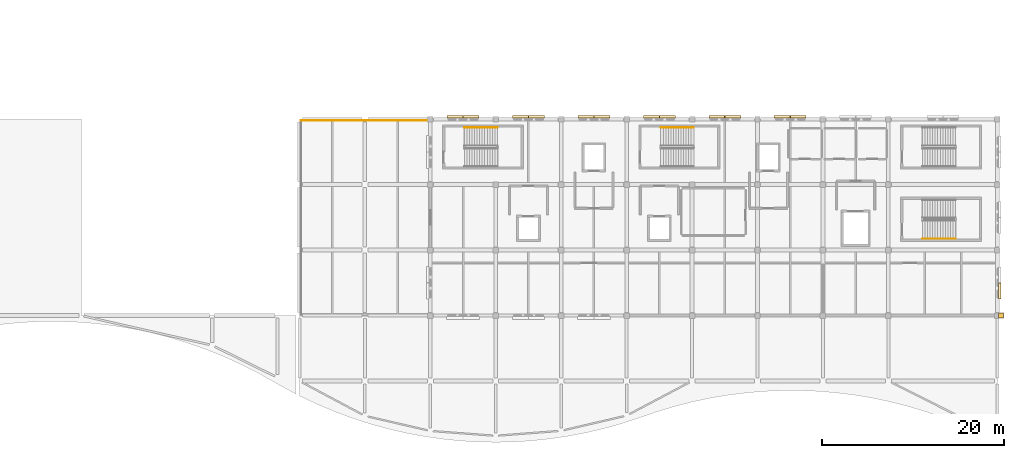
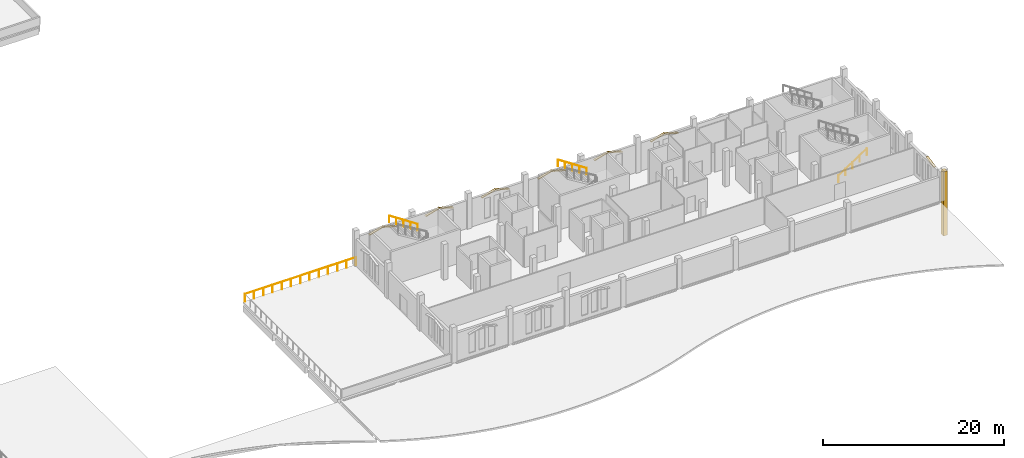
# One storey, part 20 of 23: 14 coverings, 4 railings.
"""IFC4 building model written with IfcOpenShell, lengths in metres."""

import ifcopenshell
import ifcopenshell.guid

model = None  # the IFC model being written
_history = None  # IfcOwnerHistory: only IFC2X3 demands one
_inside = {}  # id of a spatial element -> (the spatial element, [elements in it])
_under = {}  # id of a project, library or spatial element -> (it, [spatial elements below it])
_declared = {}  # id of a project -> (the project, [libraries it declares])
_typed = {}  # id of a type object -> (the type object, [elements of that type])
_made_of = {}  # id of a material, layer set ... -> (it, [elements and type objects made of it])


def new_model(schema):
    """Start an empty IFC model of exactly this schema.

    Asked for "IFC4X3", IfcOpenShell would pick the latest addendum, in which some entities
    have other attributes; the version numbers below select the first issue.
    IFC2X3 requires an IfcOwnerHistory on every rooted entity: one is made here for all.
    """
    global model, _history
    if schema == "IFC4X3":
        model = ifcopenshell.file(schema_version=(4, 3, 0, 0))
    else:
        model = ifcopenshell.file(schema=schema)
    _inside.clear()
    _under.clear()
    _declared.clear()
    _typed.clear()
    _made_of.clear()
    _history = None
    if model.schema == "IFC2X3":
        org = make("IfcOrganization", Name="unknown")
        user = make(
            "IfcPersonAndOrganization",
            ThePerson=make("IfcPerson", FamilyName="unknown"),
            TheOrganization=org,
        )
        app = make(
            "IfcApplication",
            ApplicationDeveloper=org,
            Version="unknown",
            ApplicationFullName="unknown",
            ApplicationIdentifier="unknown",
        )
        _history = make(
            "IfcOwnerHistory",
            OwningUser=user,
            OwningApplication=app,
            ChangeAction="ADDED",
            CreationDate=0,
        )
    return model


def make(cls, **values):
    """One entity of the class cls with the attributes given. An attribute that is None is left unset."""
    return model.create_entity(
        cls, **{name: value for name, value in values.items() if value is not None}
    )


def rooted(cls, **values):
    """An entity with a GlobalId (a new one), such as an element, a storey or a relation."""
    return make(cls, GlobalId=ifcopenshell.guid.new(), OwnerHistory=_history, **values)


def si_unit(unit_type, name, prefix=None):
    """IfcSIUnit, for example si_unit("LENGTHUNIT", "METRE", prefix="MILLI")."""
    return make("IfcSIUnit", UnitType=unit_type, Prefix=prefix, Name=name)


def assignment(units):
    """IfcUnitAssignment: the units of a project."""
    return None if units is None else make("IfcUnitAssignment", Units=units)


def point(xyz):
    """IfcCartesianPoint."""
    return None if xyz is None else make("IfcCartesianPoint", Coordinates=xyz)


def direction(xyz):
    """IfcDirection."""
    return None if xyz is None else make("IfcDirection", DirectionRatios=xyz)


def frame(location, z_axis=None, x_axis=None):
    """IfcAxis2Placement3D, a coordinate frame: its origin and axes. An axis left out is left unset."""
    return make(
        "IfcAxis2Placement3D",
        Location=point(location),
        Axis=direction(z_axis),
        RefDirection=direction(x_axis),
    )


def frame_2d(location, x_axis=None):
    """IfcAxis2Placement2D, a coordinate frame in the plane: its origin and x axis."""
    return make(
        "IfcAxis2Placement2D", Location=point(location), RefDirection=direction(x_axis)
    )


def origin():
    """The frame at (0, 0, 0) with its axes left unset."""
    return frame((0.0, 0.0, 0.0))


def origin_2d():
    """The frame at (0, 0) in the plane with its x axis left unset."""
    return frame_2d((0.0, 0.0))


def place(relative_to, where):
    """IfcLocalPlacement: puts the frame where relative to a parent placement (None: the world)."""
    return make(
        "IfcLocalPlacement", PlacementRelTo=relative_to, RelativePlacement=where
    )


def context(
    kind, dimensions, precision=None, world=None, true_north=None, identifier=None
):
    """IfcGeometricRepresentationContext, for example the 3D "Model" context."""
    return make(
        "IfcGeometricRepresentationContext",
        ContextIdentifier=identifier,
        ContextType=kind,
        CoordinateSpaceDimension=dimensions,
        Precision=precision,
        WorldCoordinateSystem=world,
        TrueNorth=true_north,
    )


def subcontext(parent, identifier, kind, view, scale=None):
    """IfcGeometricRepresentationSubContext, for example "Body" below "Model"."""
    return make(
        "IfcGeometricRepresentationSubContext",
        ContextIdentifier=identifier,
        ContextType=kind,
        ParentContext=parent,
        TargetScale=scale,
        TargetView=view,
    )


def project(units=None, contexts=None):
    """IfcProject with its units and contexts."""
    return rooted(
        "IfcProject",
        Name="project",
        RepresentationContexts=contexts,
        UnitsInContext=assignment(units),
    )


def spatial(cls, under=None, at=None, **own):
    """A site, building, storey or space (cls), placed at a placement, below another one or the project."""
    s = rooted(cls, ObjectPlacement=at, **own)
    if under is not None:
        _under.setdefault(under.id(), (under, []))[1].append(s)
    return s


def polyline(points):
    """IfcPolyline through the points."""
    return make("IfcPolyline", Points=[point(p) for p in points])


def profile(cls, at=None, kind="AREA", **sizes):
    """A parametric profile (cls). Its sizes go by their IFC names, for example OverallWidth=200.0."""
    return make(cls, ProfileType=kind, Position=at, **sizes)


def circle(**sizes):
    """IfcCircleProfileDef."""
    return profile("IfcCircleProfileDef", **sizes)


def outline(outer, holes=None, kind="AREA"):
    """IfcArbitraryClosedProfileDef: a profile drawn as a closed curve; with holes, ...WithVoids."""
    if holes is None:
        return make("IfcArbitraryClosedProfileDef", ProfileType=kind, OuterCurve=outer)
    return make(
        "IfcArbitraryProfileDefWithVoids",
        ProfileType=kind,
        OuterCurve=outer,
        InnerCurves=holes,
    )


def extrude(swept, where, along, depth):
    """IfcExtrudedAreaSolid: the profile swept, set in the frame where, extruded along a direction by depth."""
    return make(
        "IfcExtrudedAreaSolid",
        SweptArea=swept,
        Position=where,
        ExtrudedDirection=direction(along),
        Depth=depth,
    )


def shape(context_of_items, identifier, shape_type, items):
    """IfcShapeRepresentation: the items that make up one representation, for example the "Body"."""
    return make(
        "IfcShapeRepresentation",
        ContextOfItems=context_of_items,
        RepresentationIdentifier=identifier,
        RepresentationType=shape_type,
        Items=items,
    )


def material(Name=None, Category=None):
    """IfcMaterial."""
    return make("IfcMaterial", Name=Name, Category=Category)


def layer(
    of_material, thickness, ventilated=None, Name=None, Category=None, Priority=None
):
    """IfcMaterialLayer: one layer of a wall or slab, of a material (None: an air gap)."""
    return make(
        "IfcMaterialLayer",
        Material=of_material,
        LayerThickness=thickness,
        IsVentilated=ventilated,
        Name=Name,
        Category=Category,
        Priority=Priority,
    )


def layer_set(layers, Name=None):
    """IfcMaterialLayerSet."""
    return make("IfcMaterialLayerSet", MaterialLayers=layers, LayerSetName=Name)


def made_of(thing, what):
    """Note that an element or type object is made of a material, layer set ...; save() writes the relation."""
    if what is not None:
        _made_of.setdefault(what.id(), (what, []))[1].append(thing)
    return thing


def type_object(cls, material=None, **own):
    """A type object (cls), such as IfcWallType, which elements share."""
    return made_of(rooted(cls, **own), material)


def element(
    cls,
    number,
    at=None,
    inside=None,
    cuts=None,
    type_object=None,
    material=None,
    context=None,
    identifier="Body",
    shape_type=None,
    held_by="IfcProductDefinitionShape",
    body=None,
    shapes=None,
    **own,
):
    """One element of the class cls, such as IfcWall. Its Tag is "e" and its number.

    at: its placement. inside: the storey or other place that contains it. cuts: it is an
    opening in that element (IfcRelVoidsElement). A single representation is given by context,
    identifier, shape_type and body (its items); several are given by shapes. held_by: the class
    of the entity that holds the representations. save() writes the other relations.
    """
    e = rooted(cls, Tag="e%d" % number, ObjectPlacement=at, **own)
    if body is not None:
        shapes = [shape(context, identifier, shape_type, body)]
    if shapes is not None:
        e.Representation = make(held_by, Representations=shapes)
    if inside is not None:
        _inside.setdefault(inside.id(), (inside, []))[1].append(e)
    if cuts is not None:
        rooted(
            "IfcRelVoidsElement", RelatingBuildingElement=cuts, RelatedOpeningElement=e
        )
    if type_object is not None:
        _typed.setdefault(type_object.id(), (type_object, []))[1].append(e)
    return made_of(e, material)


def aggregate(whole, parts):
    """IfcRelAggregates: a whole, such as a stair, and the parts it consists of."""
    return rooted("IfcRelAggregates", RelatingObject=whole, RelatedObjects=parts)


def save(model, path):
    """Write the relations noted so far, then the file.

    IfcRelAggregates (storeys below a building ...), IfcRelContainedInSpatialStructure (elements
    in a storey), IfcRelDefinesByType, IfcRelAssociatesMaterial and IfcRelDeclares: one each for
    every whole, place, type object, material and project.
    """
    for whole, parts in _under.values():
        aggregate(whole, parts)
    for where, things in _inside.values():
        rooted(
            "IfcRelContainedInSpatialStructure",
            RelatedElements=things,
            RelatingStructure=where,
        )
    for kind, things in _typed.values():
        rooted("IfcRelDefinesByType", RelatedObjects=things, RelatingType=kind)
    for what, things in _made_of.values():
        rooted("IfcRelAssociatesMaterial", RelatedObjects=things, RelatingMaterial=what)
    for by, libraries in _declared.values():
        rooted("IfcRelDeclares", RelatingContext=by, RelatedDefinitions=libraries)
    model.write(path)


model = new_model("IFC4")

# Units and contexts
model_context = context("Model", 3, precision=1e-05, world=origin(), true_north=direction((0.0, 1.0)))
body_context = subcontext(model_context, "Body", "Model", "MODEL_VIEW")
ifc_project = project(units=[si_unit("LENGTHUNIT", "METRE"), si_unit("AREAUNIT", "SQUARE_METRE"), si_unit("VOLUMEUNIT", "CUBIC_METRE"), si_unit("PLANEANGLEUNIT", "RADIAN"), si_unit("MASSUNIT", "GRAM", prefix="KILO")], contexts=[model_context])

# Site, building, storey
site_placement = place(None, origin())
site = spatial("IfcSite", under=ifc_project, at=site_placement, CompositionType="ELEMENT")
building_placement = place(site_placement, origin())
building = spatial("IfcBuilding", under=site, at=building_placement, Name="Cendralis Lancet Convention Centre", CompositionType="ELEMENT")
storey_placement = place(building_placement, frame((0.0, 0.0, 19.800048828125)))
storey = spatial("IfcBuildingStorey", under=building, at=storey_placement, Name="L04", CompositionType="ELEMENT", Elevation=19.800048828125)

# Coverings
ifc_material_1 = material(Name="Warm buff sandstone chevron cassette", Category="masonry")
ifc_layer = layer(ifc_material_1, 0.06005859375, Name="Warm buff sandstone chevron cassette")
ifc_layer_set = layer_set([ifc_layer], Name="Warm buff sandstone chevron cassette")
covering_type = type_object("IfcCoveringType", Name="ARC-CV-CLAD1", PredefinedType="CLADDING", material=ifc_layer_set)
for number, where, z_axis, x_axis, name in (
    (1, (148.239990234375, 36.409912109375, 3.27001953125), (-0.267005870064, 0.0, 0.963694902628), (0.0, -1.0, 0.0), "L04 Gothic Pointed Lancet Hood-Mould #0405L"),
    (2, (150.010009765625, 36.409912109375, 3.7548828125), (0.267005870064, 0.0, 0.963694902628), (0.0, -1.0, 0.0), "L04 Gothic Pointed Lancet Hood-Mould #0406R"),
    (3, (155.43994140625, 36.409912109375, 3.27001953125), (-0.267005870064, 0.0, 0.963694902628), (0.0, -1.0, 0.0), "L04 Gothic Pointed Lancet Hood-Mould #0409L"),
    (4, (157.2099609375, 36.409912109375, 3.7548828125), (0.267005870064, 0.0, 0.963694902628), (0.0, -1.0, 0.0), "L04 Gothic Pointed Lancet Hood-Mould #0410R"),
    (5, (162.639892578125, 36.409912109375, 3.27001953125), (-0.267005870064, 0.0, 0.963694902628), (0.0, -1.0, 0.0), "L04 Gothic Pointed Lancet Hood-Mould #0413L"),
    (6, (164.409912109375, 36.409912109375, 3.7548828125), (0.267005870064, 0.0, 0.963694902628), (0.0, -1.0, 0.0), "L04 Gothic Pointed Lancet Hood-Mould #0414R"),
    (7, (169.840087890625, 36.409912109375, 3.27001953125), (-0.267005870064, 0.0, 0.963694902628), (0.0, -1.0, 0.0), "L04 Gothic Pointed Lancet Hood-Mould #0417L"),
    (8, (171.610107421875, 36.409912109375, 3.7548828125), (0.267005870064, 0.0, 0.963694902628), (0.0, -1.0, 0.0), "L04 Gothic Pointed Lancet Hood-Mould #0418R"),
    (9, (177.0400390625, 36.409912109375, 3.27001953125), (-0.267005870064, 0.0, 0.963694902628), (0.0, -1.0, 0.0), "L04 Gothic Pointed Lancet Hood-Mould #0419L"),
    (10, (178.81005859375, 36.409912109375, 3.7548828125), (0.267005870064, 0.0, 0.963694902628), (0.0, -1.0, 0.0), "L04 Gothic Pointed Lancet Hood-Mould #0420R"),
    (11, (184.239990234375, 36.409912109375, 3.27001953125), (-0.267005870064, 0.0, 0.963694902628), (0.0, -1.0, 0.0), "L04 Gothic Pointed Lancet Hood-Mould #0421L"),
    (12, (186.010009765625, 36.409912109375, 3.7548828125), (0.267005870064, 0.0, 0.963694902628), (0.0, -1.0, 0.0), "L04 Gothic Pointed Lancet Hood-Mould #0422R"),
):
    element("IfcCovering", number, at=place(storey_placement, frame(where, z_axis=z_axis, x_axis=x_axis)), inside=storey, type_object=covering_type, Name=name, PredefinedType="CLADDING", context=body_context, shape_type="SweptSolid", body=[
        extrude(outline(polyline([(0.0, 0.0), (0.284912109375, 0.0), (0.284912109375, 1.8159274218714019), (0.0, 1.8159274218714019), (0.0, 0.0)])), origin(), (0.0, 0.0, -1.0), 0.090087890625),
    ])
covering_1_placement = place(storey_placement, frame((209.2099609375, 17.989990234375, 3.614990234375), z_axis=(0.0, -0.193404209962, 0.981119162777), x_axis=(-1.0, 0.0, 0.0)))
element("IfcCovering", 13, at=covering_1_placement, inside=storey, type_object=covering_type, Name="L04 Gothic Pointed Lancet Hood-Mould #0428R", PredefinedType="CLADDING", context=body_context, shape_type="SweptSolid", body=[
    extrude(outline(polyline([(0.0, 0.0), (0.284912109375, 0.0), (0.284912109375, 1.7836773211583306), (0.0, 1.7836773211583306), (0.0, 0.0)])), origin(), (0.0, 0.0, -1.0), 0.090087890625),
])
covering_2_placement = place(storey_placement, frame((0.0, 0.0, -4.800048828125)))
element("IfcCovering", 14, at=covering_2_placement, inside=storey, type_object=covering_type, Name="Gothic Stepped Stone Buttress Shaft #0086", PredefinedType="CLADDING", context=body_context, shape_type="SweptSolid", body=[
    extrude(outline(polyline([(209.4599609375, 14.1201171875), (209.4599609375, 14.679931640625), (208.929931640625, 14.679931640625), (208.929931640625, 14.1201171875), (209.4599609375, 14.1201171875)])), origin(), (0.0, 0.0, 1.0), 8.699951171875),
])

# Railings
ifc_material_2 = material(Name="Anodised bronze architectural aluminium", Category="aluminium")
railing_type_1 = type_object("IfcRailingType", Name="ARC-RL-BL01", PredefinedType="BALUSTRADE", material=ifc_material_2)
railing_1_placement = place(storey_placement, frame((132.14990234375, 35.8798828125, 0.0)))
element("IfcRailing", 15, at=railing_1_placement, inside=storey, type_object=railing_type_1, Name="L04 Terrace Guard BL-01 #08-2", PredefinedType="BALUSTRADE", context=body_context, shape_type="SweptSolid", body=[
    extrude(circle(Radius=0.02392578125, at=origin_2d()), frame((0.0, 0.0, 1.076171875), z_axis=(1.0, 0.0, 0.0), x_axis=(0.0, 1.0, 0.0)), (0.0, 0.0, 1.0), 14.2001953125),
    extrude(circle(Radius=0.02099609375, at=origin_2d()), origin(), (0.0, 0.0, 1.0), 1.052001953125),
    extrude(circle(Radius=0.02099609375, at=origin_2d()), frame((1.183349609375, 0.0, 0.0)), (0.0, 0.0, 1.0), 1.052001953125),
    extrude(circle(Radius=0.02099609375, at=origin_2d()), frame((2.36669921875, 0.0, 0.0)), (0.0, 0.0, 1.0), 1.052001953125),
    extrude(circle(Radius=0.02099609375, at=origin_2d()), frame((3.550048828125, 0.0, 0.0)), (0.0, 0.0, 1.0), 1.052001953125),
    extrude(circle(Radius=0.02099609375, at=origin_2d()), frame((4.7333984375, 0.0, 0.0)), (0.0, 0.0, 1.0), 1.052001953125),
    extrude(circle(Radius=0.02099609375, at=origin_2d()), frame((5.916748046875, 0.0, 0.0)), (0.0, 0.0, 1.0), 1.052001953125),
    extrude(circle(Radius=0.02099609375, at=origin_2d()), frame((7.10009765625, 0.0, 0.0)), (0.0, 0.0, 1.0), 1.052001953125),
    extrude(circle(Radius=0.02099609375, at=origin_2d()), frame((8.283447265625, 0.0, 0.0)), (0.0, 0.0, 1.0), 1.052001953125),
    extrude(circle(Radius=0.02099609375, at=origin_2d()), frame((9.466796875, 0.0, 0.0)), (0.0, 0.0, 1.0), 1.052001953125),
    extrude(circle(Radius=0.02099609375, at=origin_2d()), frame((10.650146484375, 0.0, 0.0)), (0.0, 0.0, 1.0), 1.052001953125),
    extrude(circle(Radius=0.02099609375, at=origin_2d()), frame((11.83349609375, 0.0, 0.0)), (0.0, 0.0, 1.0), 1.052001953125),
    extrude(circle(Radius=0.02099609375, at=origin_2d()), frame((13.016845703125, 0.0, 0.0)), (0.0, 0.0, 1.0), 1.052001953125),
    extrude(circle(Radius=0.02099609375, at=origin_2d()), frame((14.2001953125, 0.0, 0.0)), (0.0, 0.0, 1.0), 1.052001953125),
])
ifc_material_3 = material(Name="Steel S355", Category="steel")
railing_type_2 = type_object("IfcRailingType", Name="ARC-RL-CHR", PredefinedType="HANDRAIL", material=ifc_material_3)
railing_2_placement = place(storey_placement, frame((153.7900390625, 35.080078125, 2.5712890625)))
element("IfcRailing", 16, at=railing_2_placement, inside=storey, type_object=railing_type_2, Name="L04 ST-13 stair handrail 2", PredefinedType="HANDRAIL", context=body_context, shape_type="SweptSolid", body=[
    extrude(circle(Radius=0.02392578125, at=origin_2d()), frame((0.0, 0.0, 0.8759765625), z_axis=(-0.834856447115, 0.0, 0.55046772177), x_axis=(0.0, -1.0, 0.0)), (0.0, 0.0, 1.0), 4.360107421875),
    extrude(circle(Radius=0.02099609375, at=origin_2d()), origin(), (0.0, 0.0, 1.0), 0.851806640625),
    extrude(circle(Radius=0.02099609375, at=origin_2d()), frame((-0.91015625, 0.0, 0.60009765625)), (0.0, 0.0, 1.0), 0.851806640625),
    extrude(circle(Radius=0.02099609375, at=origin_2d()), frame((-1.820068359375, 0.0, 1.2001953125)), (0.0, 0.0, 1.0), 0.851806640625),
    extrude(circle(Radius=0.02099609375, at=origin_2d()), frame((-2.72998046875, 0.0, 1.800048828125)), (0.0, 0.0, 1.0), 0.851806640625),
    extrude(circle(Radius=0.02099609375, at=origin_2d()), frame((-3.64013671875, 0.0, 2.400146484375)), (0.0, 0.0, 1.0), 0.851806640625),
])
railing_3_placement = place(storey_placement, frame((175.389892578125, 35.080078125, 2.5712890625)))
element("IfcRailing", 17, at=railing_3_placement, inside=storey, type_object=railing_type_2, Name="L04 ST-14 stair handrail 2", PredefinedType="HANDRAIL", context=body_context, shape_type="SweptSolid", body=[
    extrude(circle(Radius=0.02392578125, at=origin_2d()), frame((0.0, 0.0, 0.8759765625), z_axis=(-0.834839479206, 0.0, 0.550493454965), x_axis=(0.0, -1.0, 0.0)), (0.0, 0.0, 1.0), 4.360107421875),
    extrude(circle(Radius=0.02099609375, at=origin_2d()), origin(), (0.0, 0.0, 1.0), 0.851806640625),
    extrude(circle(Radius=0.02099609375, at=origin_2d()), frame((-0.909912109375, 0.0, 0.60009765625)), (0.0, 0.0, 1.0), 0.851806640625),
    extrude(circle(Radius=0.02099609375, at=origin_2d()), frame((-1.81982421875, 0.0, 1.2001953125)), (0.0, 0.0, 1.0), 0.851806640625),
    extrude(circle(Radius=0.02099609375, at=origin_2d()), frame((-2.72998046875, 0.0, 1.800048828125)), (0.0, 0.0, 1.0), 0.851806640625),
    extrude(circle(Radius=0.02099609375, at=origin_2d()), frame((-3.639892578125, 0.0, 2.400146484375)), (0.0, 0.0, 1.0), 0.851806640625),
])
railing_4_placement = place(storey_placement, frame((200.550048828125, 22.85009765625, 0.17138671875)))
element("IfcRailing", 18, at=railing_4_placement, inside=storey, type_object=railing_type_2, Name="L04 ST-15 stair handrail 1", PredefinedType="HANDRAIL", context=body_context, shape_type="SweptSolid", body=[
    extrude(circle(Radius=0.02392578125, at=origin_2d()), frame((0.0, 0.0, 0.8759765625), z_axis=(0.834865213223, 0.0, 0.550454426587), x_axis=(0.0, 1.0, 0.0)), (0.0, 0.0, 1.0), 4.35986328125),
    extrude(circle(Radius=0.02099609375, at=origin_2d()), origin(), (0.0, 0.0, 1.0), 0.851806640625),
    extrude(circle(Radius=0.02099609375, at=origin_2d()), frame((0.909912109375, 0.0, 0.60009765625)), (0.0, 0.0, 1.0), 0.851806640625),
    extrude(circle(Radius=0.02099609375, at=origin_2d()), frame((1.81982421875, 0.0, 1.199951171875)), (0.0, 0.0, 1.0), 0.851806640625),
    extrude(circle(Radius=0.02099609375, at=origin_2d()), frame((2.72998046875, 0.0, 1.7998046875)), (0.0, 0.0, 1.0), 0.851806640625),
    extrude(circle(Radius=0.02099609375, at=origin_2d()), frame((3.639892578125, 0.0, 2.39990234375)), (0.0, 0.0, 1.0), 0.851806640625),
])

save(model, "model.ifc")
